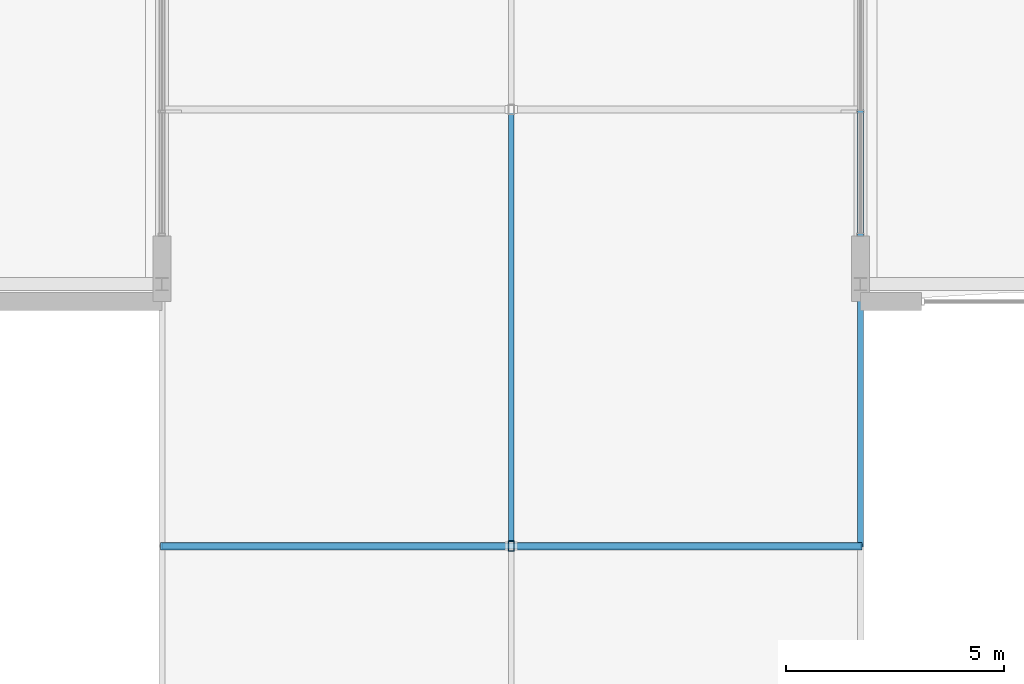
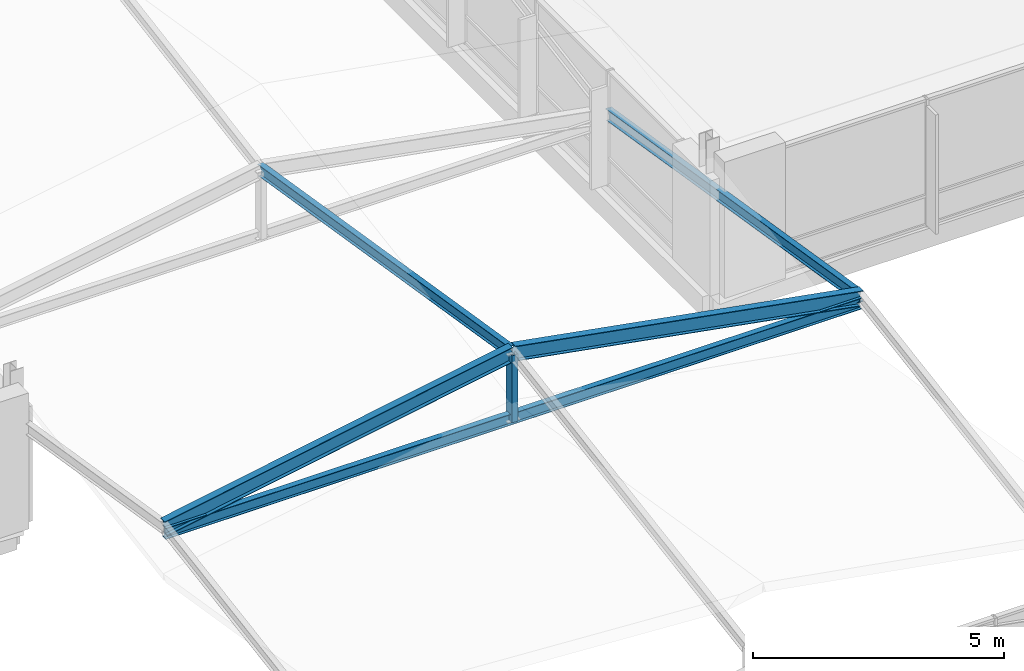
# One storey, part 94 of 189: 5 members, 1 beam.
"""IFC4 building model written with IfcOpenShell, lengths in metres."""

import ifcopenshell
import ifcopenshell.guid

model = None  # the IFC model being written
_history = None  # IfcOwnerHistory: only IFC2X3 demands one
_inside = {}  # id of a spatial element -> (the spatial element, [elements in it])
_under = {}  # id of a project, library or spatial element -> (it, [spatial elements below it])
_declared = {}  # id of a project -> (the project, [libraries it declares])
_typed = {}  # id of a type object -> (the type object, [elements of that type])
_made_of = {}  # id of a material, layer set ... -> (it, [elements and type objects made of it])


def new_model(schema):
    """Start an empty IFC model of exactly this schema.

    Asked for "IFC4X3", IfcOpenShell would pick the latest addendum, in which some entities
    have other attributes; the version numbers below select the first issue.
    IFC2X3 requires an IfcOwnerHistory on every rooted entity: one is made here for all.
    """
    global model, _history
    if schema == "IFC4X3":
        model = ifcopenshell.file(schema_version=(4, 3, 0, 0))
    else:
        model = ifcopenshell.file(schema=schema)
    _inside.clear()
    _under.clear()
    _declared.clear()
    _typed.clear()
    _made_of.clear()
    _history = None
    if model.schema == "IFC2X3":
        org = make("IfcOrganization", Name="unknown")
        user = make(
            "IfcPersonAndOrganization",
            ThePerson=make("IfcPerson", FamilyName="unknown"),
            TheOrganization=org,
        )
        app = make(
            "IfcApplication",
            ApplicationDeveloper=org,
            Version="unknown",
            ApplicationFullName="unknown",
            ApplicationIdentifier="unknown",
        )
        _history = make(
            "IfcOwnerHistory",
            OwningUser=user,
            OwningApplication=app,
            ChangeAction="ADDED",
            CreationDate=0,
        )
    return model


def make(cls, **values):
    """One entity of the class cls with the attributes given. An attribute that is None is left unset."""
    return model.create_entity(
        cls, **{name: value for name, value in values.items() if value is not None}
    )


def rooted(cls, **values):
    """An entity with a GlobalId (a new one), such as an element, a storey or a relation."""
    return make(cls, GlobalId=ifcopenshell.guid.new(), OwnerHistory=_history, **values)


def si_unit(unit_type, name, prefix=None):
    """IfcSIUnit, for example si_unit("LENGTHUNIT", "METRE", prefix="MILLI")."""
    return make("IfcSIUnit", UnitType=unit_type, Prefix=prefix, Name=name)


def assignment(units):
    """IfcUnitAssignment: the units of a project."""
    return None if units is None else make("IfcUnitAssignment", Units=units)


def point(xyz):
    """IfcCartesianPoint."""
    return None if xyz is None else make("IfcCartesianPoint", Coordinates=xyz)


def direction(xyz):
    """IfcDirection."""
    return None if xyz is None else make("IfcDirection", DirectionRatios=xyz)


def frame(location, z_axis=None, x_axis=None):
    """IfcAxis2Placement3D, a coordinate frame: its origin and axes. An axis left out is left unset."""
    return make(
        "IfcAxis2Placement3D",
        Location=point(location),
        Axis=direction(z_axis),
        RefDirection=direction(x_axis),
    )


def frame_2d(location, x_axis=None):
    """IfcAxis2Placement2D, a coordinate frame in the plane: its origin and x axis."""
    return make(
        "IfcAxis2Placement2D", Location=point(location), RefDirection=direction(x_axis)
    )


def origin():
    """The frame at (0, 0, 0) with its axes left unset."""
    return frame((0.0, 0.0, 0.0))


def origin_2d():
    """The frame at (0, 0) in the plane with its x axis left unset."""
    return frame_2d((0.0, 0.0))


def place(relative_to, where):
    """IfcLocalPlacement: puts the frame where relative to a parent placement (None: the world)."""
    return make(
        "IfcLocalPlacement", PlacementRelTo=relative_to, RelativePlacement=where
    )


def context(
    kind, dimensions, precision=None, world=None, true_north=None, identifier=None
):
    """IfcGeometricRepresentationContext, for example the 3D "Model" context."""
    return make(
        "IfcGeometricRepresentationContext",
        ContextIdentifier=identifier,
        ContextType=kind,
        CoordinateSpaceDimension=dimensions,
        Precision=precision,
        WorldCoordinateSystem=world,
        TrueNorth=true_north,
    )


def subcontext(parent, identifier, kind, view, scale=None):
    """IfcGeometricRepresentationSubContext, for example "Body" below "Model"."""
    return make(
        "IfcGeometricRepresentationSubContext",
        ContextIdentifier=identifier,
        ContextType=kind,
        ParentContext=parent,
        TargetScale=scale,
        TargetView=view,
    )


def project(units=None, contexts=None):
    """IfcProject with its units and contexts."""
    return rooted(
        "IfcProject",
        Name="project",
        RepresentationContexts=contexts,
        UnitsInContext=assignment(units),
    )


def spatial(cls, under=None, at=None, **own):
    """A site, building, storey or space (cls), placed at a placement, below another one or the project."""
    s = rooted(cls, ObjectPlacement=at, **own)
    if under is not None:
        _under.setdefault(under.id(), (under, []))[1].append(s)
    return s


def profile(cls, at=None, kind="AREA", **sizes):
    """A parametric profile (cls). Its sizes go by their IFC names, for example OverallWidth=200.0."""
    return make(cls, ProfileType=kind, Position=at, **sizes)


def hollow_rectangle(**sizes):
    """IfcRectangleHollowProfileDef."""
    return profile("IfcRectangleHollowProfileDef", **sizes)


def i_section(**sizes):
    """IfcIShapeProfileDef."""
    return profile("IfcIShapeProfileDef", **sizes)


def extrude(swept, where, along, depth):
    """IfcExtrudedAreaSolid: the profile swept, set in the frame where, extruded along a direction by depth."""
    return make(
        "IfcExtrudedAreaSolid",
        SweptArea=swept,
        Position=where,
        ExtrudedDirection=direction(along),
        Depth=depth,
    )


def shape(context_of_items, identifier, shape_type, items):
    """IfcShapeRepresentation: the items that make up one representation, for example the "Body"."""
    return make(
        "IfcShapeRepresentation",
        ContextOfItems=context_of_items,
        RepresentationIdentifier=identifier,
        RepresentationType=shape_type,
        Items=items,
    )


def material(Name=None, Category=None):
    """IfcMaterial."""
    return make("IfcMaterial", Name=Name, Category=Category)


def material_profile(
    of_material, cross_section, Name=None, Category=None, Priority=None
):
    """IfcMaterialProfile: a cross section and its material."""
    return make(
        "IfcMaterialProfile",
        Name=Name,
        Material=of_material,
        Profile=cross_section,
        Priority=Priority,
        Category=Category,
    )


def profile_set(profiles, Name=None, composite=None):
    """IfcMaterialProfileSet."""
    return make(
        "IfcMaterialProfileSet",
        Name=Name,
        MaterialProfiles=profiles,
        CompositeProfile=composite,
    )


def made_of(thing, what):
    """Note that an element or type object is made of a material, layer set ...; save() writes the relation."""
    if what is not None:
        _made_of.setdefault(what.id(), (what, []))[1].append(thing)
    return thing


def type_object(cls, material=None, **own):
    """A type object (cls), such as IfcWallType, which elements share."""
    return made_of(rooted(cls, **own), material)


def element(
    cls,
    number,
    at=None,
    inside=None,
    cuts=None,
    type_object=None,
    material=None,
    context=None,
    identifier="Body",
    shape_type=None,
    held_by="IfcProductDefinitionShape",
    body=None,
    shapes=None,
    **own,
):
    """One element of the class cls, such as IfcWall. Its Tag is "e" and its number.

    at: its placement. inside: the storey or other place that contains it. cuts: it is an
    opening in that element (IfcRelVoidsElement). A single representation is given by context,
    identifier, shape_type and body (its items); several are given by shapes. held_by: the class
    of the entity that holds the representations. save() writes the other relations.
    """
    e = rooted(cls, Tag="e%d" % number, ObjectPlacement=at, **own)
    if body is not None:
        shapes = [shape(context, identifier, shape_type, body)]
    if shapes is not None:
        e.Representation = make(held_by, Representations=shapes)
    if inside is not None:
        _inside.setdefault(inside.id(), (inside, []))[1].append(e)
    if cuts is not None:
        rooted(
            "IfcRelVoidsElement", RelatingBuildingElement=cuts, RelatedOpeningElement=e
        )
    if type_object is not None:
        _typed.setdefault(type_object.id(), (type_object, []))[1].append(e)
    return made_of(e, material)


def aggregate(whole, parts):
    """IfcRelAggregates: a whole, such as a stair, and the parts it consists of."""
    return rooted("IfcRelAggregates", RelatingObject=whole, RelatedObjects=parts)


def save(model, path):
    """Write the relations noted so far, then the file.

    IfcRelAggregates (storeys below a building ...), IfcRelContainedInSpatialStructure (elements
    in a storey), IfcRelDefinesByType, IfcRelAssociatesMaterial and IfcRelDeclares: one each for
    every whole, place, type object, material and project.
    """
    for whole, parts in _under.values():
        aggregate(whole, parts)
    for where, things in _inside.values():
        rooted(
            "IfcRelContainedInSpatialStructure",
            RelatedElements=things,
            RelatingStructure=where,
        )
    for kind, things in _typed.values():
        rooted("IfcRelDefinesByType", RelatedObjects=things, RelatingType=kind)
    for what, things in _made_of.values():
        rooted("IfcRelAssociatesMaterial", RelatedObjects=things, RelatingMaterial=what)
    for by, libraries in _declared.values():
        rooted("IfcRelDeclares", RelatingContext=by, RelatedDefinitions=libraries)
    model.write(path)


model = new_model("IFC4")

# Units and contexts
model_context = context("Model", 3, precision=1e-05, world=origin(), true_north=direction((0.0, 1.0)))
body_context = subcontext(model_context, "Body", "Model", "MODEL_VIEW")
ifc_project = project(units=[si_unit("LENGTHUNIT", "METRE"), si_unit("AREAUNIT", "SQUARE_METRE"), si_unit("VOLUMEUNIT", "CUBIC_METRE"), si_unit("PLANEANGLEUNIT", "RADIAN"), si_unit("MASSUNIT", "GRAM", prefix="KILO")], contexts=[model_context])

# Site, building, storey
site_placement = place(None, origin())
site = spatial("IfcSite", under=ifc_project, at=site_placement, CompositionType="ELEMENT")
building_placement = place(site_placement, origin())
building = spatial("IfcBuilding", under=site, at=building_placement, Name="Zavelmont Quarter", CompositionType="ELEMENT")
storey_placement = place(building_placement, frame((0.0, 0.0, 4.39990234375)))
storey = spatial("IfcBuildingStorey", under=building, at=storey_placement, Name="L01", CompositionType="ELEMENT", Elevation=4.39990234375)

# Beam
ifc_material = material(Name="Steel S355", Category="steel")
ifc_material_profile_1 = material_profile(ifc_material, i_section(OverallWidth=0.135009765625, OverallDepth=0.27001953125, WebThickness=0.006591796875, FlangeThickness=0.01025390625, at=origin_2d()), Name="IPE 270")
ifc_profile_set_1 = profile_set([ifc_material_profile_1], Name="Steel S355")
beam_type = type_object("IfcBeamType", Name="BM14", PredefinedType="JOIST", material=ifc_profile_set_1)
beam_placement = place(storey_placement, frame((76.0, 96.0, 3.18505859375), z_axis=(1.0, 0.0, 0.0), x_axis=(0.0, 1.0, 0.0)))
element("IfcBeam", 1, at=beam_placement, inside=storey, type_object=beam_type, Name="L01 beam BM14 12/P to 14/P", PredefinedType="JOIST", context=body_context, shape_type="SweptSolid", body=[
    extrude(i_section(OverallWidth=0.135009765625, OverallDepth=0.27001953125, WebThickness=0.006591796875, FlangeThickness=0.01025390625, at=origin_2d()), origin(), (0.0, 0.0, 1.0), 16.0),
])

# Members
ifc_material_profile_2 = material_profile(ifc_material, hollow_rectangle(XDim=0.139892578125, YDim=0.239990234375, WallThickness=0.010009765625, at=origin_2d()), Name="RHS 240X140X10")
ifc_profile_set_2 = profile_set([ifc_material_profile_2], Name="Steel S355")
member_type_1 = type_object("IfcMemberType", Name="CLM1", PredefinedType="CHORD", material=ifc_profile_set_2)
member_placement = place(storey_placement, frame((84.0, 96.0, 3.14013671875), z_axis=(0.0, 0.0, 1.0), x_axis=(1.0, 0.0, 0.0)))
element("IfcMember", 2, at=member_placement, inside=storey, type_object=member_type_1, Name="L01 member CLM1 13/P to 13/P", PredefinedType="CHORD", context=body_context, shape_type="SweptSolid", body=[
    extrude(hollow_rectangle(XDim=0.139892578125, YDim=0.239990234375, WallThickness=0.010009765625, at=origin_2d()), origin(), (0.0, 0.0, 1.0), 1.6298828125),
])
ifc_material_profile_3 = material_profile(ifc_material, i_section(OverallWidth=0.135009765625, OverallDepth=0.27001953125, WebThickness=0.006591796875, FlangeThickness=0.01025390625, at=origin_2d()), Name="IPE 270")
ifc_profile_set_3 = profile_set([ifc_material_profile_3], Name="Steel S355")
member_type_2 = type_object("IfcMemberType", Name="PR01", PredefinedType="PURLIN", material=ifc_profile_set_3)
for number, where, z_axis, x_axis, name in (
    (3, (92.0, 96.0, 3.320068359375), (0.0, 0.987132736639, -0.159902971377), (-1.0, 0.0, 0.0), "L01 member PR01 14/P to 14/Q"),
    (4, (84.0, 96.0, 4.77001953125), (0.0, 0.987132736639, -0.159902971377), (-1.0, 0.0, 0.0), "L01 member PR01 13/P to 13/Q"),
):
    element("IfcMember", number, at=place(storey_placement, frame(where, z_axis=z_axis, x_axis=x_axis)), inside=storey, type_object=member_type_2, Name=name, PredefinedType="PURLIN", context=body_context, shape_type="SweptSolid", body=[
        extrude(i_section(OverallWidth=0.135009765625, OverallDepth=0.27001953125, WebThickness=0.006591796875, FlangeThickness=0.01025390625, at=origin_2d()), origin(), (0.0, 0.0, 1.0), 10.13037109375),
    ])
ifc_material_profile_4 = material_profile(ifc_material, i_section(OverallWidth=0.169921875, OverallDepth=0.360107421875, WebThickness=0.008056640625, FlangeThickness=0.0126953125, at=origin_2d()), Name="IPE 360")
ifc_profile_set_4 = profile_set([ifc_material_profile_4], Name="Steel S355")
member_type_3 = type_object("IfcMemberType", Name="RFM2", PredefinedType="RAFTER", material=ifc_profile_set_4)
for number, where, z_axis, x_axis, name in (
    (5, (76.0, 96.0, 3.320068359375), (0.983969211964, 0.0, 0.178338413997), (0.0, 1.0, 0.0), "L01 member RFM2 12/P to 13/P"),
    (6, (84.0, 96.0, 4.77001953125), (0.983969211964, 0.0, -0.178338413997), (0.0, 1.0, 0.0), "L01 member RFM2 13/P to 14/P"),
):
    element("IfcMember", number, at=place(storey_placement, frame(where, z_axis=z_axis, x_axis=x_axis)), inside=storey, type_object=member_type_3, Name=name, PredefinedType="RAFTER", context=body_context, shape_type="SweptSolid", body=[
        extrude(i_section(OverallWidth=0.169921875, OverallDepth=0.360107421875, WebThickness=0.008056640625, FlangeThickness=0.0126953125, at=origin_2d()), origin(), (0.0, 0.0, 1.0), 8.13037109375),
    ])

save(model, "model.ifc")
